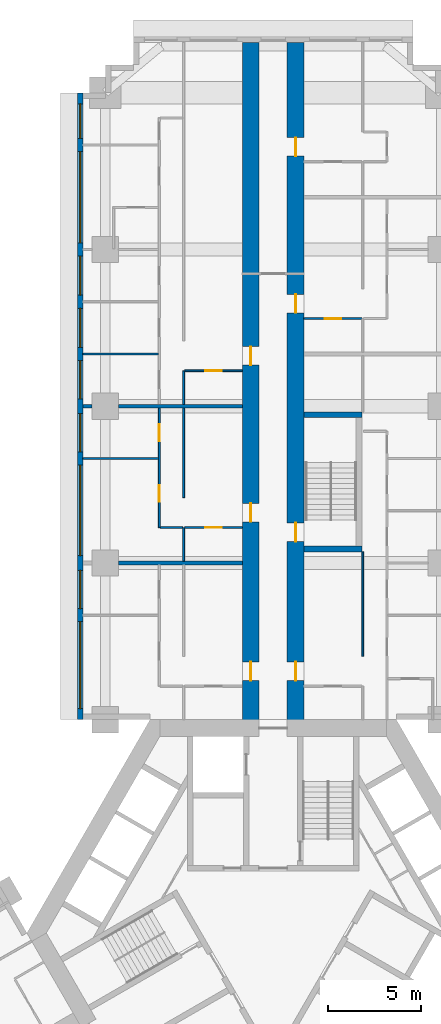
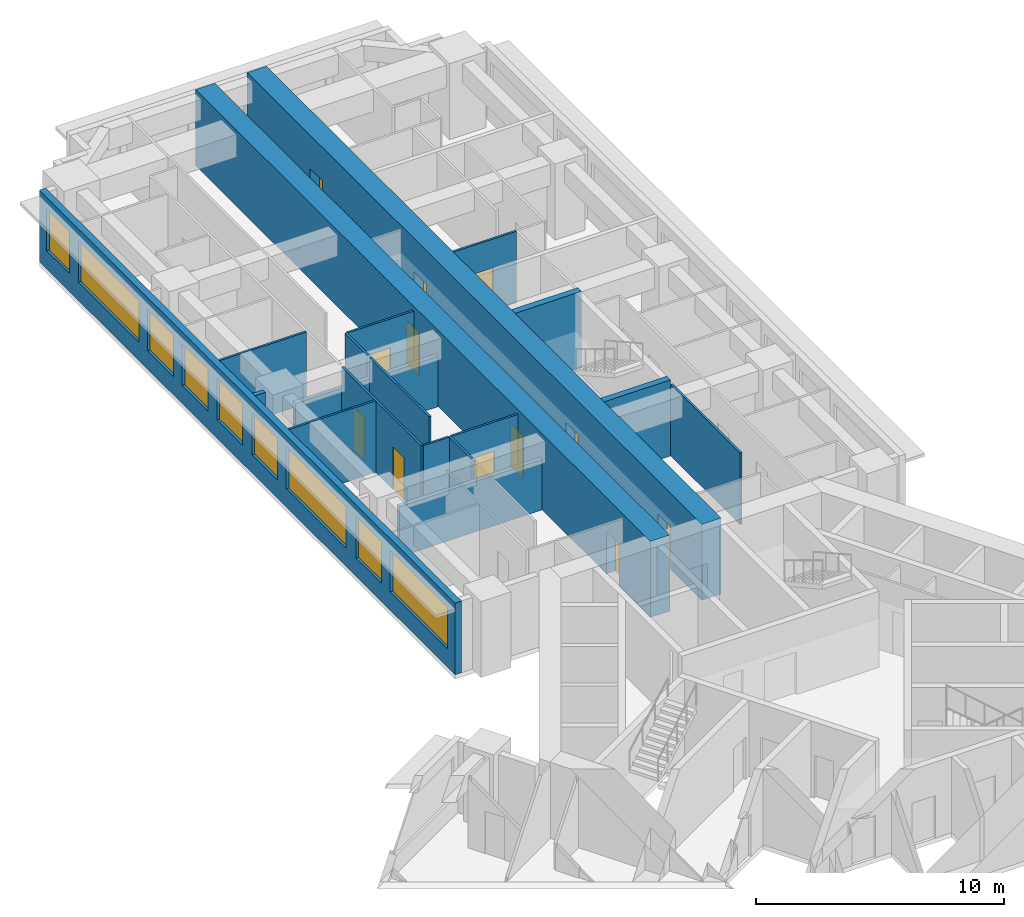
# One storey, part 9 of 15: 19 walls, 12 doors, 9 windows, 21 openings.
"""IFC4 building model written with IfcOpenShell, lengths in metres."""

from ifc_helpers import new_model, si_unit, direction, frame, frame_2d, origin, place, context, subcontext, project, spatial, rectangle, extrude, material, layer, layer_set, type_object, element, fill, save


model = new_model("IFC4")

# Units and contexts
model_context = context("Model", 3, precision=1e-05, world=origin(), true_north=direction((0.0, 1.0)))
body_context = subcontext(model_context, "Body", "Model", "MODEL_VIEW")
ifc_project = project(units=[si_unit("LENGTHUNIT", "METRE"), si_unit("AREAUNIT", "SQUARE_METRE"), si_unit("VOLUMEUNIT", "CUBIC_METRE"), si_unit("PLANEANGLEUNIT", "RADIAN"), si_unit("MASSUNIT", "GRAM", prefix="KILO")], contexts=[model_context])

# Site, building, storey
site_placement = place(None, origin())
site = spatial("IfcSite", under=ifc_project, at=site_placement, CompositionType="ELEMENT")
building_placement = place(site_placement, origin())
building = spatial("IfcBuilding", under=site, at=building_placement, Name="Impinga Residences", CompositionType="ELEMENT")
storey_placement = place(building_placement, frame((0.0, 0.0, 82.25)))
storey = spatial("IfcBuildingStorey", under=building, at=storey_placement, Name="L20", CompositionType="ELEMENT", Elevation=82.25)

# Wall, openings, doors
ifc_material_1 = material(Name="Concrete C70/85", Category="concrete")
ifc_layer_1 = layer(ifc_material_1, 0.89990234375)
ifc_layer_set_1 = layer_set([ifc_layer_1], Name="Concrete C70/85")
wall_type_1 = type_object("IfcWallType", Name="BW1 corridor buttress wall, L05 to L22 900", PredefinedType="SHEAR", material=ifc_layer_set_1)
wall_1_placement = place(storey_placement, frame((-1.199951171875, 10.9814453125, 0.0), z_axis=(0.0, 0.0, 1.0), x_axis=(0.0, 1.0, 0.0)))
wall_1 = element("IfcWall", 1, at=wall_1_placement, inside=storey, type_object=wall_type_1, Name="Corridor wall BW1 NC L20", PredefinedType="SHEAR", context=body_context, shape_type="SweptSolid", body=[
    extrude(rectangle(XDim=36.75, YDim=0.89990234375, at=frame_2d((18.375, 0.0))), origin(), (0.0, 0.0, 1.0), 3.75),
])
opening_1_placement = place(wall_1_placement, frame((2.550048828125, 0.0, 0.0)))
opening_1 = element("IfcOpeningElement", 2, at=opening_1_placement, cuts=wall_1, Name="Opening D1", PredefinedType="OPENING", context=body_context, shape_type="SweptSolid", body=[
    extrude(rectangle(XDim=1.0, YDim=2.10009765625, at=frame_2d((0.5, 1.050048828125))), frame((0.0, 0.4599609375, 0.0), z_axis=(0.0, -1.0, 0.0), x_axis=(1.0, 0.0, 0.0)), (0.0, 0.0, 1.0), 0.919921875),
])
opening_2_placement = place(wall_1_placement, frame((11.050048828125, 0.0, 0.0)))
opening_2 = element("IfcOpeningElement", 3, at=opening_2_placement, cuts=wall_1, Name="Opening D1", PredefinedType="OPENING", context=body_context, shape_type="SweptSolid", body=[
    extrude(rectangle(XDim=1.0, YDim=2.10009765625, at=frame_2d((0.5, 1.050048828125))), frame((0.0, 0.4599609375, 0.0), z_axis=(0.0, -1.0, 0.0), x_axis=(1.0, 0.0, 0.0)), (0.0, 0.0, 1.0), 0.919921875),
])
opening_3_placement = place(wall_1_placement, frame((19.449951171875, 0.0, 0.0)))
opening_3 = element("IfcOpeningElement", 4, at=opening_3_placement, cuts=wall_1, Name="Opening D1", PredefinedType="OPENING", context=body_context, shape_type="SweptSolid", body=[
    extrude(rectangle(XDim=1.0, YDim=2.10009765625, at=frame_2d((0.5, 1.050048828125))), frame((0.0, 0.4599609375, 0.0), z_axis=(0.0, -1.0, 0.0), x_axis=(1.0, 0.0, 0.0)), (0.0, 0.0, 1.0), 0.919921875),
])
ifc_material_2 = material(Name="Timber door set", Category="wood")
door_type_1 = type_object("IfcDoorType", Name="D1 apartment entrance door 1000x2100", OperationType="SINGLE_SWING_LEFT", PredefinedType="DOOR", material=ifc_material_2)
door_1_placement = place(opening_1_placement, origin())
door_1 = element("IfcDoor", 5, at=door_1_placement, inside=storey, type_object=door_type_1, Name="Apartment L20-NA1 entrance", OperationType="SINGLE_SWING_LEFT", OverallHeight=2.10009765625, OverallWidth=1.0, PredefinedType="DOOR", context=body_context, shape_type="SweptSolid", body=[
    extrude(rectangle(XDim=1.0, YDim=2.10009765625, at=frame_2d((0.5, 1.050048828125))), frame((0.0, 0.02490234375, 0.0), z_axis=(0.0, -1.0, 0.0), x_axis=(1.0, 0.0, 0.0)), (0.0, 0.0, 1.0), 0.050048828125),
])
fill(opening_1, door_1)
door_2_placement = place(opening_2_placement, origin())
door_2 = element("IfcDoor", 6, at=door_2_placement, inside=storey, type_object=door_type_1, Name="Apartment L20-NA2 entrance", OperationType="SINGLE_SWING_LEFT", OverallHeight=2.10009765625, OverallWidth=1.0, PredefinedType="DOOR", context=body_context, shape_type="SweptSolid", body=[
    extrude(rectangle(XDim=1.0, YDim=2.10009765625, at=frame_2d((0.5, 1.050048828125))), frame((0.0, 0.02490234375, 0.0), z_axis=(0.0, -1.0, 0.0), x_axis=(1.0, 0.0, 0.0)), (0.0, 0.0, 1.0), 0.050048828125),
])
fill(opening_2, door_2)
door_3_placement = place(opening_3_placement, origin())
door_3 = element("IfcDoor", 7, at=door_3_placement, inside=storey, type_object=door_type_1, Name="Apartment L20-NA3 entrance", OperationType="SINGLE_SWING_RIGHT", OverallHeight=2.10009765625, OverallWidth=1.0, PredefinedType="DOOR", context=body_context, shape_type="SweptSolid", body=[
    extrude(rectangle(XDim=1.0, YDim=2.10009765625, at=frame_2d((0.5, 1.050048828125))), frame((0.0, 0.02490234375, 0.0), z_axis=(0.0, -1.0, 0.0), x_axis=(1.0, 0.0, 0.0)), (0.0, 0.0, 1.0), 0.050048828125),
])
fill(opening_3, door_3)

wall_2_placement = place(storey_placement, frame((1.199951171875, 10.9814453125, 0.0), z_axis=(0.0, 0.0, 1.0), x_axis=(0.0, 1.0, 0.0)))
wall_2 = element("IfcWall", 8, at=wall_2_placement, inside=storey, type_object=wall_type_1, Name="Corridor wall BW1 ND L20", PredefinedType="SHEAR", context=body_context, shape_type="SweptSolid", body=[
    extrude(rectangle(XDim=36.75, YDim=0.89990234375, at=frame_2d((18.375, 0.0))), origin(), (0.0, 0.0, 1.0), 3.75),
])
opening_4_placement = place(wall_2_placement, frame((10.0, 0.0, 0.0)))
opening_4 = element("IfcOpeningElement", 9, at=opening_4_placement, cuts=wall_2, Name="Opening D5", PredefinedType="OPENING", context=body_context, shape_type="SweptSolid", body=[
    extrude(rectangle(XDim=1.0, YDim=2.10009765625, at=frame_2d((0.5, 1.050048828125))), frame((0.0, 0.4599609375, 0.0), z_axis=(0.0, -1.0, 0.0), x_axis=(1.0, 0.0, 0.0)), (0.0, 0.0, 1.0), 0.919921875),
])
opening_5_placement = place(wall_2_placement, frame((2.550048828125, 0.0, 0.0)))
opening_5 = element("IfcOpeningElement", 10, at=opening_5_placement, cuts=wall_2, Name="Opening D1", PredefinedType="OPENING", context=body_context, shape_type="SweptSolid", body=[
    extrude(rectangle(XDim=1.0, YDim=2.10009765625, at=frame_2d((0.5, 1.050048828125))), frame((0.0, 0.4599609375, 0.0), z_axis=(0.0, -1.0, 0.0), x_axis=(1.0, 0.0, 0.0)), (0.0, 0.0, 1.0), 0.919921875),
])
opening_6_placement = place(wall_2_placement, frame((22.25, 0.0, 0.0)))
opening_6 = element("IfcOpeningElement", 11, at=opening_6_placement, cuts=wall_2, Name="Opening D1", PredefinedType="OPENING", context=body_context, shape_type="SweptSolid", body=[
    extrude(rectangle(XDim=1.0, YDim=2.10009765625, at=frame_2d((0.5, 1.050048828125))), frame((0.0, 0.4599609375, 0.0), z_axis=(0.0, -1.0, 0.0), x_axis=(1.0, 0.0, 0.0)), (0.0, 0.0, 1.0), 0.919921875),
])
opening_7_placement = place(wall_2_placement, frame((30.64990234375, 0.0, 0.0)))
opening_7 = element("IfcOpeningElement", 12, at=opening_7_placement, cuts=wall_2, Name="Opening D1", PredefinedType="OPENING", context=body_context, shape_type="SweptSolid", body=[
    extrude(rectangle(XDim=1.0, YDim=2.10009765625, at=frame_2d((0.5, 1.050048828125))), frame((0.0, 0.4599609375, 0.0), z_axis=(0.0, -1.0, 0.0), x_axis=(1.0, 0.0, 0.0)), (0.0, 0.0, 1.0), 0.919921875),
])
door_4_placement = place(opening_5_placement, origin())
door_4 = element("IfcDoor", 13, at=door_4_placement, inside=storey, type_object=door_type_1, Name="Apartment L20-NF1 entrance", OperationType="SINGLE_SWING_LEFT", OverallHeight=2.10009765625, OverallWidth=1.0, PredefinedType="DOOR", context=body_context, shape_type="SweptSolid", body=[
    extrude(rectangle(XDim=1.0, YDim=2.10009765625, at=frame_2d((0.5, 1.050048828125))), frame((0.0, 0.02490234375, 0.0), z_axis=(0.0, -1.0, 0.0), x_axis=(1.0, 0.0, 0.0)), (0.0, 0.0, 1.0), 0.050048828125),
])
fill(opening_5, door_4)
door_5_placement = place(opening_6_placement, origin())
door_5 = element("IfcDoor", 14, at=door_5_placement, inside=storey, type_object=door_type_1, Name="Apartment L20-NF2 entrance", OperationType="SINGLE_SWING_RIGHT", OverallHeight=2.10009765625, OverallWidth=1.0, PredefinedType="DOOR", context=body_context, shape_type="SweptSolid", body=[
    extrude(rectangle(XDim=1.0, YDim=2.10009765625, at=frame_2d((0.5, 1.050048828125))), frame((0.0, 0.02490234375, 0.0), z_axis=(0.0, -1.0, 0.0), x_axis=(1.0, 0.0, 0.0)), (0.0, 0.0, 1.0), 0.050048828125),
])
fill(opening_6, door_5)
door_6_placement = place(opening_7_placement, origin())
door_6 = element("IfcDoor", 15, at=door_6_placement, inside=storey, type_object=door_type_1, Name="Apartment L20-NF3 entrance", OperationType="SINGLE_SWING_RIGHT", OverallHeight=2.10009765625, OverallWidth=1.0, PredefinedType="DOOR", context=body_context, shape_type="SweptSolid", body=[
    extrude(rectangle(XDim=1.0, YDim=2.10009765625, at=frame_2d((0.5, 1.050048828125))), frame((0.0, 0.02490234375, 0.0), z_axis=(0.0, -1.0, 0.0), x_axis=(1.0, 0.0, 0.0)), (0.0, 0.0, 1.0), 0.050048828125),
])
fill(opening_7, door_6)
door_type_2 = type_object("IfcDoorType", Name="D5 stair door 1000x2100", OperationType="SINGLE_SWING_LEFT", PredefinedType="DOOR", material=ifc_material_2)
door_7_placement = place(opening_4_placement, origin())
door_7 = element("IfcDoor", 16, at=door_7_placement, inside=storey, type_object=door_type_2, Name="Wing stair door N", OperationType="SINGLE_SWING_LEFT", OverallHeight=2.10009765625, OverallWidth=1.0, PredefinedType="DOOR", context=body_context, shape_type="SweptSolid", body=[
    extrude(rectangle(XDim=1.0, YDim=2.10009765625, at=frame_2d((0.5, 1.050048828125))), frame((0.0, 0.02490234375, 0.0), z_axis=(0.0, -1.0, 0.0), x_axis=(1.0, 0.0, 0.0)), (0.0, 0.0, 1.0), 0.050048828125),
])
fill(opening_4, door_7)

# Wall, openings, windows
ifc_material_3 = material(Name="Terracotta rainscreen on blockwork", Category="masonry")
ifc_layer_2 = layer(ifc_material_3, 0.300048828125)
ifc_layer_set_2 = layer_set([ifc_layer_2], Name="EW1 external wall, terracotta rainscreen on blockwork 300")
wall_type_2 = type_object("IfcWallType", Name="EW1 external wall, terracotta rainscreen on blockwork 300", PredefinedType="SOLIDWALL", material=ifc_layer_set_2)
wall_3_placement = place(storey_placement, frame((-10.35009765625, 11.431640625, 0.0), z_axis=(0.0, 0.0, 1.0), x_axis=(0.0, 1.0, 0.0)))
wall_3 = element("IfcWall", 17, at=wall_3_placement, inside=storey, type_object=wall_type_2, Name="External wall EW1 L20", PredefinedType="SOLIDWALL", context=body_context, shape_type="SweptSolid", body=[
    extrude(rectangle(XDim=33.599853515625, YDim=0.300048828125, at=frame_2d((16.7998046875, 0.0))), origin(), (0.0, 0.0, 1.0), 3.530029296875),
])
opening_8_placement = place(wall_3_placement, frame((0.60009765625, 0.0, 0.89990234375)))
opening_8 = element("IfcOpeningElement", 18, at=opening_8_placement, cuts=wall_3, Name="Opening W10", PredefinedType="OPENING", context=body_context, shape_type="SweptSolid", body=[
    extrude(rectangle(XDim=4.64990234375, YDim=2.050048828125, at=frame_2d((2.324951171875, 1.02490234375))), frame((0.0, 0.159912109375, 0.0), z_axis=(0.0, -1.0, 0.0), x_axis=(1.0, 0.0, 0.0)), (0.0, 0.0, 1.0), 0.320068359375),
])
opening_9_placement = place(wall_3_placement, frame((5.949951171875, 0.0, 0.89990234375)))
opening_9 = element("IfcOpeningElement", 19, at=opening_9_placement, cuts=wall_3, Name="Opening W14", PredefinedType="OPENING", context=body_context, shape_type="SweptSolid", body=[
    extrude(rectangle(XDim=2.050048828125, YDim=2.050048828125, at=frame_2d((1.02490234375, 1.02490234375))), frame((0.0, 0.159912109375, 0.0), z_axis=(0.0, -1.0, 0.0), x_axis=(1.0, 0.0, 0.0)), (0.0, 0.0, 1.0), 0.320068359375),
])
opening_10_placement = place(wall_3_placement, frame((8.800048828125, 0.0, 0.89990234375)))
opening_10 = element("IfcOpeningElement", 20, at=opening_10_placement, cuts=wall_3, Name="Opening W6", PredefinedType="OPENING", context=body_context, shape_type="SweptSolid", body=[
    extrude(rectangle(XDim=4.85009765625, YDim=2.050048828125, at=frame_2d((2.425048828125, 1.02490234375))), frame((0.0, 0.159912109375, 0.0), z_axis=(0.0, -1.0, 0.0), x_axis=(1.0, 0.0, 0.0)), (0.0, 0.0, 1.0), 0.320068359375),
])
opening_11_placement = place(wall_3_placement, frame((14.35009765625, 0.0, 0.89990234375)))
opening_11 = element("IfcOpeningElement", 21, at=opening_11_placement, cuts=wall_3, Name="Opening W14", PredefinedType="OPENING", context=body_context, shape_type="SweptSolid", body=[
    extrude(rectangle(XDim=2.050048828125, YDim=2.050048828125, at=frame_2d((1.02490234375, 1.02490234375))), frame((0.0, 0.159912109375, 0.0), z_axis=(0.0, -1.0, 0.0), x_axis=(1.0, 0.0, 0.0)), (0.0, 0.0, 1.0), 0.320068359375),
])
opening_12_placement = place(wall_3_placement, frame((17.199951171875, 0.0, 0.89990234375)))
opening_12 = element("IfcOpeningElement", 22, at=opening_12_placement, cuts=wall_3, Name="Opening W14", PredefinedType="OPENING", context=body_context, shape_type="SweptSolid", body=[
    extrude(rectangle(XDim=2.050048828125, YDim=2.050048828125, at=frame_2d((1.02490234375, 1.02490234375))), frame((0.0, 0.159912109375, 0.0), z_axis=(0.0, -1.0, 0.0), x_axis=(1.0, 0.0, 0.0)), (0.0, 0.0, 1.0), 0.320068359375),
])
opening_13_placement = place(wall_3_placement, frame((19.949951171875, 0.0, 0.89990234375)))
opening_13 = element("IfcOpeningElement", 23, at=opening_13_placement, cuts=wall_3, Name="Opening W9", PredefinedType="OPENING", context=body_context, shape_type="SweptSolid", body=[
    extrude(rectangle(XDim=2.10009765625, YDim=2.050048828125, at=frame_2d((1.050048828125, 1.02490234375))), frame((0.0, 0.159912109375, 0.0), z_axis=(0.0, -1.0, 0.0), x_axis=(1.0, 0.0, 0.0)), (0.0, 0.0, 1.0), 0.320068359375),
])
opening_14_placement = place(wall_3_placement, frame((22.75, 0.0, 0.89990234375)))
opening_14 = element("IfcOpeningElement", 24, at=opening_14_placement, cuts=wall_3, Name="Opening W9", PredefinedType="OPENING", context=body_context, shape_type="SweptSolid", body=[
    extrude(rectangle(XDim=2.10009765625, YDim=2.050048828125, at=frame_2d((1.050048828125, 1.02490234375))), frame((0.0, 0.159912109375, 0.0), z_axis=(0.0, -1.0, 0.0), x_axis=(1.0, 0.0, 0.0)), (0.0, 0.0, 1.0), 0.320068359375),
])
opening_15_placement = place(wall_3_placement, frame((25.550048828125, 0.0, 0.89990234375)))
opening_15 = element("IfcOpeningElement", 25, at=opening_15_placement, cuts=wall_3, Name="Opening W16", PredefinedType="OPENING", context=body_context, shape_type="SweptSolid", body=[
    extrude(rectangle(XDim=4.89990234375, YDim=2.050048828125, at=frame_2d((2.449951171875, 1.02490234375))), frame((0.0, 0.159912109375, 0.0), z_axis=(0.0, -1.0, 0.0), x_axis=(1.0, 0.0, 0.0)), (0.0, 0.0, 1.0), 0.320068359375),
])
opening_16_placement = place(wall_3_placement, frame((31.14990234375, 0.0, 0.89990234375)))
opening_16 = element("IfcOpeningElement", 26, at=opening_16_placement, cuts=wall_3, Name="Opening W15", PredefinedType="OPENING", context=body_context, shape_type="SweptSolid", body=[
    extrude(rectangle(XDim=1.85009765625, YDim=2.050048828125, at=frame_2d((0.925048828125, 1.02490234375))), frame((0.0, 0.159912109375, 0.0), z_axis=(0.0, -1.0, 0.0), x_axis=(1.0, 0.0, 0.0)), (0.0, 0.0, 1.0), 0.320068359375),
])
ifc_material_4 = material(Name="Aluminium window, clear double glazing", Category="aluminium")
window_type_1 = type_object("IfcWindowType", Name="W10 ribbon window 4650x2050", PartitioningType="SINGLE_PANEL", PredefinedType="WINDOW", material=ifc_material_4)
window_1_placement = place(opening_8_placement, origin())
window_1 = element("IfcWindow", 27, at=window_1_placement, inside=storey, type_object=window_type_1, Name="Window L20", OverallHeight=2.050048828125, OverallWidth=4.64990234375, PartitioningType="SINGLE_PANEL", PredefinedType="WINDOW", context=body_context, shape_type="SweptSolid", body=[
    extrude(rectangle(XDim=4.64990234375, YDim=2.050048828125, at=frame_2d((2.324951171875, 1.02490234375))), frame((0.0, 0.030029296875, 0.0), z_axis=(0.0, -1.0, 0.0), x_axis=(1.0, 0.0, 0.0)), (0.0, 0.0, 1.0), 0.06005859375),
])
fill(opening_8, window_1)
window_type_2 = type_object("IfcWindowType", Name="W14 ribbon window 2050x2050", PartitioningType="SINGLE_PANEL", PredefinedType="WINDOW", material=ifc_material_4)
window_2_placement = place(opening_9_placement, origin())
window_2 = element("IfcWindow", 28, at=window_2_placement, inside=storey, type_object=window_type_2, Name="Window L20", OverallHeight=2.050048828125, OverallWidth=2.050048828125, PartitioningType="SINGLE_PANEL", PredefinedType="WINDOW", context=body_context, shape_type="SweptSolid", body=[
    extrude(rectangle(XDim=2.050048828125, YDim=2.050048828125, at=frame_2d((1.02490234375, 1.02490234375))), frame((0.0, 0.030029296875, 0.0), z_axis=(0.0, -1.0, 0.0), x_axis=(1.0, 0.0, 0.0)), (0.0, 0.0, 1.0), 0.06005859375),
])
fill(opening_9, window_2)
window_3_placement = place(opening_11_placement, origin())
window_3 = element("IfcWindow", 29, at=window_3_placement, inside=storey, type_object=window_type_2, Name="Window L20", OverallHeight=2.050048828125, OverallWidth=2.050048828125, PartitioningType="SINGLE_PANEL", PredefinedType="WINDOW", context=body_context, shape_type="SweptSolid", body=[
    extrude(rectangle(XDim=2.050048828125, YDim=2.050048828125, at=frame_2d((1.02490234375, 1.02490234375))), frame((0.0, 0.030029296875, 0.0), z_axis=(0.0, -1.0, 0.0), x_axis=(1.0, 0.0, 0.0)), (0.0, 0.0, 1.0), 0.06005859375),
])
fill(opening_11, window_3)
window_4_placement = place(opening_12_placement, origin())
window_4 = element("IfcWindow", 30, at=window_4_placement, inside=storey, type_object=window_type_2, Name="Window L20", OverallHeight=2.050048828125, OverallWidth=2.050048828125, PartitioningType="SINGLE_PANEL", PredefinedType="WINDOW", context=body_context, shape_type="SweptSolid", body=[
    extrude(rectangle(XDim=2.050048828125, YDim=2.050048828125, at=frame_2d((1.02490234375, 1.02490234375))), frame((0.0, 0.030029296875, 0.0), z_axis=(0.0, -1.0, 0.0), x_axis=(1.0, 0.0, 0.0)), (0.0, 0.0, 1.0), 0.06005859375),
])
fill(opening_12, window_4)
window_type_3 = type_object("IfcWindowType", Name="W15 ribbon window 1850x2050", PartitioningType="SINGLE_PANEL", PredefinedType="WINDOW", material=ifc_material_4)
window_5_placement = place(opening_16_placement, origin())
window_5 = element("IfcWindow", 31, at=window_5_placement, inside=storey, type_object=window_type_3, Name="Window L20", OverallHeight=2.050048828125, OverallWidth=1.85009765625, PartitioningType="SINGLE_PANEL", PredefinedType="WINDOW", context=body_context, shape_type="SweptSolid", body=[
    extrude(rectangle(XDim=1.85009765625, YDim=2.050048828125, at=frame_2d((0.925048828125, 1.02490234375))), frame((0.0, 0.030029296875, 0.0), z_axis=(0.0, -1.0, 0.0), x_axis=(1.0, 0.0, 0.0)), (0.0, 0.0, 1.0), 0.06005859375),
])
fill(opening_16, window_5)
window_type_4 = type_object("IfcWindowType", Name="W16 ribbon window 4900x2050", PartitioningType="SINGLE_PANEL", PredefinedType="WINDOW", material=ifc_material_4)
window_6_placement = place(opening_15_placement, origin())
window_6 = element("IfcWindow", 32, at=window_6_placement, inside=storey, type_object=window_type_4, Name="Window L20", OverallHeight=2.050048828125, OverallWidth=4.89990234375, PartitioningType="SINGLE_PANEL", PredefinedType="WINDOW", context=body_context, shape_type="SweptSolid", body=[
    extrude(rectangle(XDim=4.89990234375, YDim=2.050048828125, at=frame_2d((2.449951171875, 1.02490234375))), frame((0.0, 0.030029296875, 0.0), z_axis=(0.0, -1.0, 0.0), x_axis=(1.0, 0.0, 0.0)), (0.0, 0.0, 1.0), 0.06005859375),
])
fill(opening_15, window_6)
window_type_5 = type_object("IfcWindowType", Name="W6 ribbon window 4850x2050", PartitioningType="SINGLE_PANEL", PredefinedType="WINDOW", material=ifc_material_4)
window_7_placement = place(opening_10_placement, origin())
window_7 = element("IfcWindow", 33, at=window_7_placement, inside=storey, type_object=window_type_5, Name="Window L20", OverallHeight=2.050048828125, OverallWidth=4.85009765625, PartitioningType="SINGLE_PANEL", PredefinedType="WINDOW", context=body_context, shape_type="SweptSolid", body=[
    extrude(rectangle(XDim=4.85009765625, YDim=2.050048828125, at=frame_2d((2.425048828125, 1.02490234375))), frame((0.0, 0.030029296875, 0.0), z_axis=(0.0, -1.0, 0.0), x_axis=(1.0, 0.0, 0.0)), (0.0, 0.0, 1.0), 0.06005859375),
])
fill(opening_10, window_7)
window_type_6 = type_object("IfcWindowType", Name="W9 ribbon window 2100x2050", PartitioningType="SINGLE_PANEL", PredefinedType="WINDOW", material=ifc_material_4)
window_8_placement = place(opening_13_placement, origin())
window_8 = element("IfcWindow", 34, at=window_8_placement, inside=storey, type_object=window_type_6, Name="Window L20", OverallHeight=2.050048828125, OverallWidth=2.10009765625, PartitioningType="SINGLE_PANEL", PredefinedType="WINDOW", context=body_context, shape_type="SweptSolid", body=[
    extrude(rectangle(XDim=2.10009765625, YDim=2.050048828125, at=frame_2d((1.050048828125, 1.02490234375))), frame((0.0, 0.030029296875, 0.0), z_axis=(0.0, -1.0, 0.0), x_axis=(1.0, 0.0, 0.0)), (0.0, 0.0, 1.0), 0.06005859375),
])
fill(opening_13, window_8)
window_9_placement = place(opening_14_placement, origin())
window_9 = element("IfcWindow", 35, at=window_9_placement, inside=storey, type_object=window_type_6, Name="Window L20", OverallHeight=2.050048828125, OverallWidth=2.10009765625, PartitioningType="SINGLE_PANEL", PredefinedType="WINDOW", context=body_context, shape_type="SweptSolid", body=[
    extrude(rectangle(XDim=2.10009765625, YDim=2.050048828125, at=frame_2d((1.050048828125, 1.02490234375))), frame((0.0, 0.030029296875, 0.0), z_axis=(0.0, -1.0, 0.0), x_axis=(1.0, 0.0, 0.0)), (0.0, 0.0, 1.0), 0.06005859375),
])
fill(opening_14, window_9)

# Walls
ifc_material_5 = material(Name="Gypsum board on steel studs", Category="steel")
ifc_layer_3 = layer(ifc_material_5, 0.10009765625)
ifc_layer_set_3 = layer_set([ifc_layer_3], Name="Gypsum board on steel studs")
wall_type_3 = type_object("IfcWallType", Name="IP1 partition 100", PredefinedType="PARTITIONING", material=ifc_layer_set_3)
wall_4_placement = place(storey_placement, frame((-4.800048828125, 19.931640625, 0.0), z_axis=(0.0, 0.0, 1.0), x_axis=(0.0, 1.0, 0.0)))
element("IfcWall", 36, at=wall_4_placement, inside=storey, type_object=wall_type_3, Name="Partition L20-NA2:DIV0", PredefinedType="PARTITIONING", context=body_context, shape_type="SweptSolid", body=[
    extrude(rectangle(XDim=1.7998046875, YDim=0.10009765625, at=frame_2d((0.89990234375, 0.0))), origin(), (0.0, 0.0, 1.0), 3.530029296875),
])
wall_5_placement = place(storey_placement, frame((-4.800048828125, 23.33154296875, 0.0), z_axis=(0.0, 0.0, 1.0), x_axis=(0.0, 1.0, 0.0)))
element("IfcWall", 37, at=wall_5_placement, inside=storey, type_object=wall_type_3, Name="Partition L20-NA2:DIV1", PredefinedType="PARTITIONING", context=body_context, shape_type="SweptSolid", body=[
    extrude(rectangle(XDim=4.800048828125, YDim=0.10009765625, at=frame_2d((2.39990234375, 0.0))), origin(), (0.0, 0.0, 1.0), 3.530029296875),
])

# Wall, openings, doors
wall_6_placement = place(storey_placement, frame((-6.10009765625, 21.7314453125, 0.0), z_axis=(0.0, 0.0, 1.0), x_axis=(0.0, 1.0, 0.0)))
wall_6 = element("IfcWall", 38, at=wall_6_placement, inside=storey, type_object=wall_type_3, Name="Partition L20-NA2:STRIP", PredefinedType="PARTITIONING", context=body_context, shape_type="SweptSolid", body=[
    extrude(rectangle(XDim=6.400146484375, YDim=0.10009765625, at=frame_2d((3.2001953125, 0.0))), origin(), (0.0, 0.0, 1.0), 3.530029296875),
])
opening_17_placement = place(wall_6_placement, frame((1.375, 0.0, 0.0)))
opening_17 = element("IfcOpeningElement", 39, at=opening_17_placement, cuts=wall_6, Name="Opening D2", PredefinedType="OPENING", context=body_context, shape_type="SweptSolid", body=[
    extrude(rectangle(XDim=0.89990234375, YDim=2.10009765625, at=frame_2d((0.449951171875, 1.050048828125))), frame((0.0, 0.06005859375, 0.0), z_axis=(0.0, -1.0, 0.0), x_axis=(1.0, 0.0, 0.0)), (0.0, 0.0, 1.0), 0.1201171875),
])
opening_18_placement = place(wall_6_placement, frame((4.625, 0.0, 0.0)))
opening_18 = element("IfcOpeningElement", 40, at=opening_18_placement, cuts=wall_6, Name="Opening D2", PredefinedType="OPENING", context=body_context, shape_type="SweptSolid", body=[
    extrude(rectangle(XDim=0.89990234375, YDim=2.10009765625, at=frame_2d((0.449951171875, 1.050048828125))), frame((0.0, 0.06005859375, 0.0), z_axis=(0.0, -1.0, 0.0), x_axis=(1.0, 0.0, 0.0)), (0.0, 0.0, 1.0), 0.1201171875),
])
door_type_3 = type_object("IfcDoorType", Name="D2 internal door 900x2100", OperationType="SINGLE_SWING_LEFT", PredefinedType="DOOR", material=ifc_material_2)
door_8_placement = place(opening_17_placement, origin())
door_8 = element("IfcDoor", 41, at=door_8_placement, inside=storey, type_object=door_type_3, Name="Apartment L20-NA2 room door", OperationType="SINGLE_SWING_LEFT", OverallHeight=2.10009765625, OverallWidth=0.89990234375, PredefinedType="DOOR", context=body_context, shape_type="SweptSolid", body=[
    extrude(rectangle(XDim=0.89990234375, YDim=2.10009765625, at=frame_2d((0.449951171875, 1.050048828125))), frame((0.0, 0.02490234375, 0.0), z_axis=(0.0, -1.0, 0.0), x_axis=(1.0, 0.0, 0.0)), (0.0, 0.0, 1.0), 0.050048828125),
])
fill(opening_17, door_8)
door_9_placement = place(opening_18_placement, origin())
door_9 = element("IfcDoor", 42, at=door_9_placement, inside=storey, type_object=door_type_3, Name="Apartment L20-NA2 room door", OperationType="SINGLE_SWING_RIGHT", OverallHeight=2.10009765625, OverallWidth=0.89990234375, PredefinedType="DOOR", context=body_context, shape_type="SweptSolid", body=[
    extrude(rectangle(XDim=0.89990234375, YDim=2.10009765625, at=frame_2d((0.449951171875, 1.050048828125))), frame((0.0, 0.02490234375, 0.0), z_axis=(0.0, -1.0, 0.0), x_axis=(1.0, 0.0, 0.0)), (0.0, 0.0, 1.0), 0.050048828125),
])
fill(opening_18, door_9)

# Wall
wall_7_placement = place(storey_placement, frame((-4.85009765625, 21.7314453125, 0.0), z_axis=(0.0, 0.0, 1.0), x_axis=(-1.0, 0.0, 0.0)))
element("IfcWall", 43, at=wall_7_placement, inside=storey, type_object=wall_type_3, Name="Partition L20-NA2:SE0", PredefinedType="PARTITIONING", context=body_context, shape_type="SweptSolid", body=[
    extrude(rectangle(XDim=1.199951171875, YDim=0.10009765625, at=frame_2d((0.60009765625, 0.0))), origin(), (0.0, 0.0, 1.0), 3.530029296875),
])

# Wall, opening, door
wall_8_placement = place(storey_placement, frame((-1.64990234375, 21.7314453125, 0.0), z_axis=(0.0, 0.0, 1.0), x_axis=(-1.0, 0.0, 0.0)))
wall_8 = element("IfcWall", 44, at=wall_8_placement, inside=storey, type_object=wall_type_3, Name="Partition L20-NA2:IB1", PredefinedType="PARTITIONING", context=body_context, shape_type="SweptSolid", body=[
    extrude(rectangle(XDim=3.10009765625, YDim=0.10009765625, at=frame_2d((1.550048828125, 0.0))), origin(), (0.0, 0.0, 1.0), 3.530029296875),
])
opening_19_placement = place(wall_8_placement, frame((1.10009765625, 0.0, 0.0)))
opening_19 = element("IfcOpeningElement", 45, at=opening_19_placement, cuts=wall_8, Name="Opening D2", PredefinedType="OPENING", context=body_context, shape_type="SweptSolid", body=[
    extrude(rectangle(XDim=0.89990234375, YDim=2.10009765625, at=frame_2d((0.449951171875, 1.050048828125))), frame((0.0, 0.06005859375, 0.0), z_axis=(0.0, -1.0, 0.0), x_axis=(1.0, 0.0, 0.0)), (0.0, 0.0, 1.0), 0.1201171875),
])
door_10_placement = place(opening_19_placement, origin())
door_10 = element("IfcDoor", 46, at=door_10_placement, inside=storey, type_object=door_type_3, Name="Apartment L20-NA2 bathroom door", OperationType="SINGLE_SWING_LEFT", OverallHeight=2.10009765625, OverallWidth=0.89990234375, PredefinedType="DOOR", context=body_context, shape_type="SweptSolid", body=[
    extrude(rectangle(XDim=0.89990234375, YDim=2.10009765625, at=frame_2d((0.449951171875, 1.050048828125))), frame((0.0, 0.02490234375, 0.0), z_axis=(0.0, -1.0, 0.0), x_axis=(1.0, 0.0, 0.0)), (0.0, 0.0, 1.0), 0.050048828125),
])
fill(opening_19, door_10)

# Walls
wall_9_placement = place(storey_placement, frame((-6.14990234375, 25.431640625, 0.0), z_axis=(0.0, 0.0, 1.0), x_axis=(-1.0, 0.0, 0.0)))
element("IfcWall", 47, at=wall_9_placement, inside=storey, type_object=wall_type_3, Name="Partition L20-NA2:OB1", PredefinedType="PARTITIONING", context=body_context, shape_type="SweptSolid", body=[
    extrude(rectangle(XDim=4.050048828125, YDim=0.10009765625, at=frame_2d((2.02490234375, 0.0))), origin(), (0.0, 0.0, 1.0), 3.530029296875),
])
wall_10_placement = place(storey_placement, frame((-4.800048828125, 28.33154296875, 0.0), z_axis=(0.0, 0.0, 1.0), x_axis=(0.0, 1.0, 0.0)))
element("IfcWall", 48, at=wall_10_placement, inside=storey, type_object=wall_type_3, Name="Partition L20-NA3:DIV0", PredefinedType="PARTITIONING", context=body_context, shape_type="SweptSolid", body=[
    extrude(rectangle(XDim=1.800048828125, YDim=0.10009765625, at=frame_2d((0.89990234375, 0.0))), origin(), (0.0, 0.0, 1.0), 3.530029296875),
])

# Wall, opening, door
wall_11_placement = place(storey_placement, frame((-1.64990234375, 30.131591796875, 0.0), z_axis=(0.0, 0.0, 1.0), x_axis=(-1.0, 0.0, 0.0)))
wall_11 = element("IfcWall", 49, at=wall_11_placement, inside=storey, type_object=wall_type_3, Name="Partition L20-NA3:IB1", PredefinedType="PARTITIONING", context=body_context, shape_type="SweptSolid", body=[
    extrude(rectangle(XDim=3.10009765625, YDim=0.10009765625, at=frame_2d((1.550048828125, 0.0))), origin(), (0.0, 0.0, 1.0), 3.530029296875),
])
opening_20_placement = place(wall_11_placement, frame((1.10009765625, 0.0, 0.0)))
opening_20 = element("IfcOpeningElement", 50, at=opening_20_placement, cuts=wall_11, Name="Opening D2", PredefinedType="OPENING", context=body_context, shape_type="SweptSolid", body=[
    extrude(rectangle(XDim=0.89990234375, YDim=2.10009765625, at=frame_2d((0.449951171875, 1.050048828125))), frame((0.0, 0.06005859375, 0.0), z_axis=(0.0, -1.0, 0.0), x_axis=(1.0, 0.0, 0.0)), (0.0, 0.0, 1.0), 0.1201171875),
])
door_11_placement = place(opening_20_placement, origin())
door_11 = element("IfcDoor", 51, at=door_11_placement, inside=storey, type_object=door_type_3, Name="Apartment L20-NA3 bathroom door", OperationType="SINGLE_SWING_LEFT", OverallHeight=2.10009765625, OverallWidth=0.89990234375, PredefinedType="DOOR", context=body_context, shape_type="SweptSolid", body=[
    extrude(rectangle(XDim=0.89990234375, YDim=2.10009765625, at=frame_2d((0.449951171875, 1.050048828125))), frame((0.0, 0.02490234375, 0.0), z_axis=(0.0, -1.0, 0.0), x_axis=(1.0, 0.0, 0.0)), (0.0, 0.0, 1.0), 0.050048828125),
])
fill(opening_20, door_11)

# Walls
wall_12_placement = place(storey_placement, frame((-6.14990234375, 31.031494140625, 0.0), z_axis=(0.0, 0.0, 1.0), x_axis=(-1.0, 0.0, 0.0)))
element("IfcWall", 52, at=wall_12_placement, inside=storey, type_object=wall_type_3, Name="Partition L20-NA3:OB1", PredefinedType="PARTITIONING", context=body_context, shape_type="SweptSolid", body=[
    extrude(rectangle(XDim=4.050048828125, YDim=0.10009765625, at=frame_2d((2.02490234375, 0.0))), origin(), (0.0, 0.0, 1.0), 3.530029296875),
])
wall_13_placement = place(storey_placement, frame((4.800048828125, 14.83154296875, 0.0), z_axis=(0.0, 0.0, 1.0), x_axis=(0.0, 1.0, 0.0)))
element("IfcWall", 53, at=wall_13_placement, inside=storey, type_object=wall_type_3, Name="Partition L20-NF1:DIV1", PredefinedType="PARTITIONING", context=body_context, shape_type="SweptSolid", body=[
    extrude(rectangle(XDim=5.60009765625, YDim=0.10009765625, at=frame_2d((2.800048828125, 0.0))), origin(), (0.0, 0.0, 1.0), 3.530029296875),
])

# Wall, opening, door
wall_14_placement = place(storey_placement, frame((1.64990234375, 32.931640625, 0.0), z_axis=(0.0, 0.0, 1.0), x_axis=(1.0, 0.0, 0.0)))
wall_14 = element("IfcWall", 54, at=wall_14_placement, inside=storey, type_object=wall_type_3, Name="Partition L20-NF2:IB1", PredefinedType="PARTITIONING", context=body_context, shape_type="SweptSolid", body=[
    extrude(rectangle(XDim=3.10009765625, YDim=0.10009765625, at=frame_2d((1.550048828125, 0.0))), origin(), (0.0, 0.0, 1.0), 3.530029296875),
])
opening_21_placement = place(wall_14_placement, frame((1.10009765625, 0.0, 0.0)))
opening_21 = element("IfcOpeningElement", 55, at=opening_21_placement, cuts=wall_14, Name="Opening D2", PredefinedType="OPENING", context=body_context, shape_type="SweptSolid", body=[
    extrude(rectangle(XDim=0.89990234375, YDim=2.10009765625, at=frame_2d((0.449951171875, 1.050048828125))), frame((0.0, 0.06005859375, 0.0), z_axis=(0.0, -1.0, 0.0), x_axis=(1.0, 0.0, 0.0)), (0.0, 0.0, 1.0), 0.1201171875),
])
door_12_placement = place(opening_21_placement, origin())
door_12 = element("IfcDoor", 56, at=door_12_placement, inside=storey, type_object=door_type_3, Name="Apartment L20-NF2 bathroom door", OperationType="SINGLE_SWING_LEFT", OverallHeight=2.10009765625, OverallWidth=0.89990234375, PredefinedType="DOOR", context=body_context, shape_type="SweptSolid", body=[
    extrude(rectangle(XDim=0.89990234375, YDim=2.10009765625, at=frame_2d((0.449951171875, 1.050048828125))), frame((0.0, 0.02490234375, 0.0), z_axis=(0.0, -1.0, 0.0), x_axis=(1.0, 0.0, 0.0)), (0.0, 0.0, 1.0), 0.050048828125),
])
fill(opening_21, door_12)

# Walls
ifc_material_6 = material(Name="Concrete blockwork", Category="masonry")
ifc_layer_4 = layer(ifc_material_6, 0.199951171875)
ifc_layer_set_4 = layer_set([ifc_layer_4], Name="PW1 party wall between apartments 200")
wall_type_4 = type_object("IfcWallType", Name="PW1 party wall between apartments 200", PredefinedType="SOLIDWALL", material=ifc_layer_set_4)
for number, where, z_axis, x_axis, name in (
    (57, (-1.64990234375, 19.83154296875, 0.0), (0.0, 0.0, 1.0), (-1.0, 0.0, 0.0), "Party wall between apartments L20-NA1:PARTY"),
    (58, (-1.64990234375, 28.2314453125, 0.0), (0.0, 0.0, 1.0), (-1.0, 0.0, 0.0), "Party wall between apartments L20-NA2:PARTY"),
):
    element("IfcWall", number, at=place(storey_placement, frame(where, z_axis=z_axis, x_axis=x_axis)), inside=storey, type_object=wall_type_4, Name=name, PredefinedType="SOLIDWALL", context=body_context, shape_type="SweptSolid", body=[
        extrude(rectangle(XDim=6.650146484375, YDim=0.199951171875, at=frame_2d((3.3251953125, 0.0))), origin(), (0.0, 0.0, 1.0), 2.47998046875),
    ])
wall_15_placement = place(storey_placement, frame((-9.699951171875, 28.2314453125, 0.0), z_axis=(0.0, 0.0, 1.0), x_axis=(-1.0, 0.0, 0.0)))
element("IfcWall", 59, at=wall_15_placement, inside=storey, type_object=wall_type_4, Name="Party wall between apartments L20-NA2:PARTYb", PredefinedType="SOLIDWALL", context=body_context, shape_type="SweptSolid", body=[
    extrude(rectangle(XDim=0.5, YDim=0.199951171875, at=frame_2d((0.25, 0.0))), origin(), (0.0, 0.0, 1.0), 3.530029296875),
])
ifc_material_7 = material(Name="Concrete C60/75", Category="concrete")
ifc_layer_5 = layer(ifc_material_7, 0.300048828125)
ifc_layer_set_5 = layer_set([ifc_layer_5], Name="Concrete C60/75")
wall_type_5 = type_object("IfcWallType", Name="SE1 wing stair enclosure wall 300", PredefinedType="SOLIDWALL", material=ifc_layer_set_5)
for number, where, z_axis, x_axis, name in (
    (60, (1.64990234375, 20.58154296875, 0.0), (0.0, 0.0, 1.0), (1.0, 0.0, 0.0), "Stair enclosure wall SE1 N END0 L20"),
    (61, (1.64990234375, 27.781494140625, 0.0), (0.0, 0.0, 1.0), (1.0, 0.0, 0.0), "Stair enclosure wall SE1 N END1 L20"),
):
    element("IfcWall", number, at=place(storey_placement, frame(where, z_axis=z_axis, x_axis=x_axis)), inside=storey, type_object=wall_type_5, Name=name, PredefinedType="SOLIDWALL", context=body_context, shape_type="SweptSolid", body=[
        extrude(rectangle(XDim=3.10009765625, YDim=0.300048828125, at=frame_2d((1.550048828125, 0.0))), origin(), (0.0, 0.0, 1.0), 3.75),
    ])

save(model, "model.ifc")
